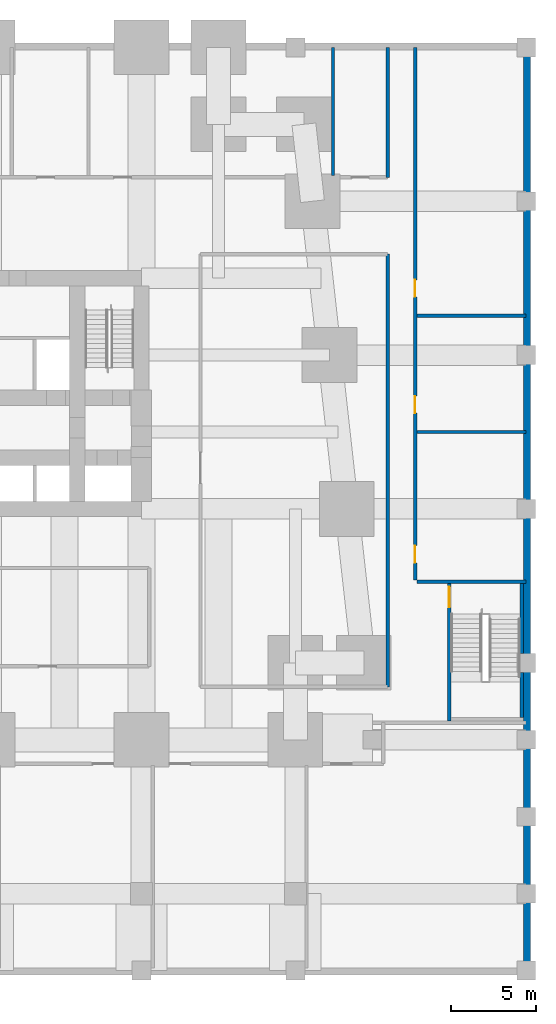
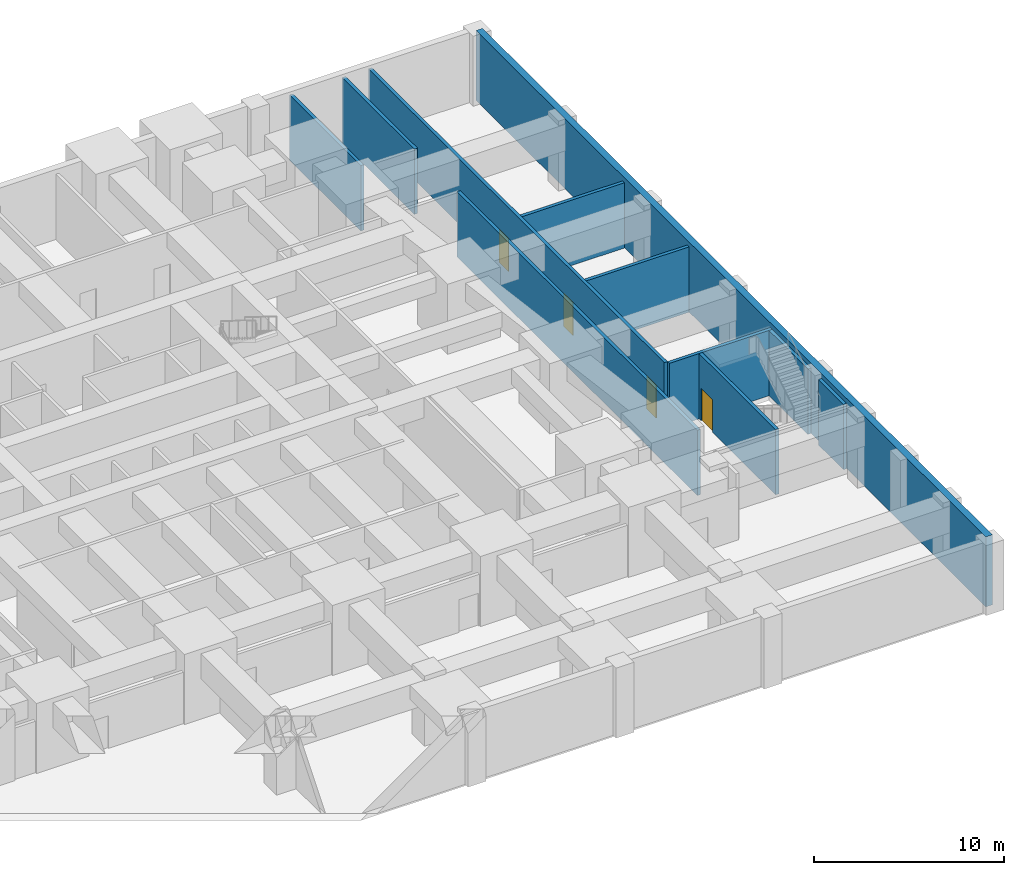
# One storey, part 5 of 8: 11 walls, 4 doors, 4 openings.
"""IFC4 building model written with IfcOpenShell, lengths in metres."""

from ifc_helpers import new_model, si_unit, direction, frame, frame_2d, origin, place, context, subcontext, project, spatial, rectangle, extrude, material, layer, layer_set, type_object, element, fill, save


model = new_model("IFC4")

# Units and contexts
model_context = context("Model", 3, precision=1e-05, world=origin(), true_north=direction((0.0, 1.0)))
body_context = subcontext(model_context, "Body", "Model", "MODEL_VIEW")
ifc_project = project(units=[si_unit("LENGTHUNIT", "METRE"), si_unit("AREAUNIT", "SQUARE_METRE"), si_unit("VOLUMEUNIT", "CUBIC_METRE"), si_unit("PLANEANGLEUNIT", "RADIAN"), si_unit("MASSUNIT", "GRAM", prefix="KILO")], contexts=[model_context])

# Site, building, storey
site_placement = place(None, origin())
site = spatial("IfcSite", under=ifc_project, at=site_placement, CompositionType="ELEMENT")
building_placement = place(site_placement, origin())
building = spatial("IfcBuilding", under=site, at=building_placement, Name="Kilele Tower Hotel", CompositionType="ELEMENT")
storey_placement = place(building_placement, frame((0.0, 0.0, -4.5)))
storey = spatial("IfcBuildingStorey", under=building, at=storey_placement, Name="B1", CompositionType="ELEMENT", Elevation=-4.5)

# Walls
ifc_material_1 = material(Name="Concrete C70/85", Category="concrete")
ifc_layer_1 = layer(ifc_material_1, 0.39990234375)
ifc_layer_set_1 = layer_set([ifc_layer_1], Name="Concrete C70/85")
wall_type_1 = type_object("IfcWallType", Name="Basement retaining wall 400", PredefinedType="SOLIDWALL", material=ifc_layer_set_1)
wall_1_placement = place(storey_placement, frame((58.550048828125, -13.35009765625, 0.0), z_axis=(0.0, 0.0, 1.0), x_axis=(0.0, 1.0, 0.0)))
element("IfcWall", 1, at=wall_1_placement, inside=storey, type_object=wall_type_1, Name="Retaining wall B1 E", PredefinedType="SOLIDWALL", context=body_context, shape_type="SweptSolid", body=[
    extrude(rectangle(XDim=53.7001953125, YDim=0.39990234375, at=frame_2d((26.85009765625, 0.0))), origin(), (0.0, 0.0, 1.0), 4.5),
])
ifc_material_2 = material(Name="Blockwork, plastered both sides", Category="masonry")
ifc_layer_2 = layer(ifc_material_2, 0.199951171875)
ifc_layer_set_2 = layer_set([ifc_layer_2], Name="Blockwork, plastered both sides")
wall_type_2 = type_object("IfcWallType", Name="Partition wall 200", PredefinedType="PARTITIONING", material=ifc_layer_set_2)
wall_2_placement = place(storey_placement, frame((47.199951171875, 33.0, 0.0), z_axis=(0.0, 0.0, 1.0), x_axis=(0.0, 1.0, 0.0)))
element("IfcWall", 2, at=wall_2_placement, inside=storey, type_object=wall_type_2, Name="Partition wall 200 B1", PredefinedType="PARTITIONING", context=body_context, shape_type="SweptSolid", body=[
    extrude(rectangle(XDim=7.5, YDim=0.199951171875, at=frame_2d((3.75, 0.0))), origin(), (0.0, 0.0, 1.0), 4.199951171875),
])

# Wall, openings, doors
wall_3_placement = place(storey_placement, frame((52.0, 9.35009765625, 0.0), z_axis=(0.0, 0.0, 1.0), x_axis=(0.0, 1.0, 0.0)))
wall_3 = element("IfcWall", 3, at=wall_3_placement, inside=storey, type_object=wall_type_2, Name="Partition wall 200 B1", PredefinedType="PARTITIONING", context=body_context, shape_type="SweptSolid", body=[
    extrude(rectangle(XDim=31.14990234375, YDim=0.199951171875, at=frame_2d((15.574951171875, 0.0))), origin(), (0.0, 0.0, 1.0), 4.199951171875),
])
opening_1_placement = place(wall_3_placement, frame((2.0, 0.0, 0.0), z_axis=(0.0, 0.0, 1.0), x_axis=(-1.0, 0.0, 0.0)))
opening_1 = element("IfcOpeningElement", 4, at=opening_1_placement, cuts=wall_3, Name="Opening D7", PredefinedType="OPENING", context=body_context, shape_type="SweptSolid", body=[
    extrude(rectangle(XDim=1.0, YDim=2.10009765625, at=frame_2d((0.5, 1.050048828125))), frame((0.0, 0.10986328125, 0.0), z_axis=(0.0, -1.0, 0.0), x_axis=(1.0, 0.0, 0.0)), (0.0, 0.0, 1.0), 0.219970703125),
])
opening_2_placement = place(wall_3_placement, frame((10.75, 0.0, 0.0), z_axis=(0.0, 0.0, 1.0), x_axis=(-1.0, 0.0, 0.0)))
opening_2 = element("IfcOpeningElement", 5, at=opening_2_placement, cuts=wall_3, Name="Opening D7", PredefinedType="OPENING", context=body_context, shape_type="SweptSolid", body=[
    extrude(rectangle(XDim=1.0, YDim=2.10009765625, at=frame_2d((0.5, 1.050048828125))), frame((0.0, 0.10986328125, 0.0), z_axis=(0.0, -1.0, 0.0), x_axis=(1.0, 0.0, 0.0)), (0.0, 0.0, 1.0), 0.219970703125),
])
opening_3_placement = place(wall_3_placement, frame((17.550048828125, 0.0, 0.0), z_axis=(0.0, 0.0, 1.0), x_axis=(-1.0, 0.0, 0.0)))
opening_3 = element("IfcOpeningElement", 6, at=opening_3_placement, cuts=wall_3, Name="Opening D7", PredefinedType="OPENING", context=body_context, shape_type="SweptSolid", body=[
    extrude(rectangle(XDim=1.0, YDim=2.10009765625, at=frame_2d((0.5, 1.050048828125))), frame((0.0, 0.10986328125, 0.0), z_axis=(0.0, -1.0, 0.0), x_axis=(1.0, 0.0, 0.0)), (0.0, 0.0, 1.0), 0.219970703125),
])
ifc_material_3 = material(Name="Timber door leaf in hardwood frame", Category="wood")
door_type_1 = type_object("IfcDoorType", Name="Plant room door 1000", OperationType="SINGLE_SWING_LEFT", PredefinedType="DOOR", material=ifc_material_3)
door_1_placement = place(opening_1_placement, origin())
door_1 = element("IfcDoor", 7, at=door_1_placement, inside=storey, type_object=door_type_1, Name="Door Electrical substation", OperationType="SINGLE_SWING_RIGHT", OverallHeight=2.10009765625, OverallWidth=1.0, PredefinedType="DOOR", context=body_context, shape_type="SweptSolid", body=[
    extrude(rectangle(XDim=1.0, YDim=2.10009765625, at=frame_2d((0.5, 1.050048828125))), frame((0.0, 0.02490234375, 0.0), z_axis=(0.0, -1.0, 0.0), x_axis=(1.0, 0.0, 0.0)), (0.0, 0.0, 1.0), 0.050048828125),
])
fill(opening_1, door_1)
door_2_placement = place(opening_2_placement, origin())
door_2 = element("IfcDoor", 8, at=door_2_placement, inside=storey, type_object=door_type_1, Name="Door Kitchen store", OperationType="SINGLE_SWING_RIGHT", OverallHeight=2.10009765625, OverallWidth=1.0, PredefinedType="DOOR", context=body_context, shape_type="SweptSolid", body=[
    extrude(rectangle(XDim=1.0, YDim=2.10009765625, at=frame_2d((0.5, 1.050048828125))), frame((0.0, 0.02490234375, 0.0), z_axis=(0.0, -1.0, 0.0), x_axis=(1.0, 0.0, 0.0)), (0.0, 0.0, 1.0), 0.050048828125),
])
fill(opening_2, door_2)
door_3_placement = place(opening_3_placement, origin())
door_3 = element("IfcDoor", 9, at=door_3_placement, inside=storey, type_object=door_type_1, Name="Door Housekeeping store", OperationType="SINGLE_SWING_RIGHT", OverallHeight=2.10009765625, OverallWidth=1.0, PredefinedType="DOOR", context=body_context, shape_type="SweptSolid", body=[
    extrude(rectangle(XDim=1.0, YDim=2.10009765625, at=frame_2d((0.5, 1.050048828125))), frame((0.0, 0.02490234375, 0.0), z_axis=(0.0, -1.0, 0.0), x_axis=(1.0, 0.0, 0.0)), (0.0, 0.0, 1.0), 0.050048828125),
])
fill(opening_3, door_3)

# Walls
for number, where, z_axis, x_axis, name in (
    (10, (52.10009765625, 18.0, 0.0), (0.0, 0.0, 1.0), (1.0, 0.0, 0.0), "Partition wall 200 B1"),
    (11, (52.10009765625, 24.800048828125, 0.0), (0.0, 0.0, 1.0), (1.0, 0.0, 0.0), "Partition wall 200 B1"),
):
    element("IfcWall", number, at=place(storey_placement, frame(where, z_axis=z_axis, x_axis=x_axis)), inside=storey, type_object=wall_type_2, Name=name, PredefinedType="PARTITIONING", context=body_context, shape_type="SweptSolid", body=[
        extrude(rectangle(XDim=6.39990234375, YDim=0.199951171875, at=frame_2d((3.199951171875, 0.0))), origin(), (0.0, 0.0, 1.0), 4.199951171875),
    ])
wall_4_placement = place(storey_placement, frame((50.39990234375, 3.10009765625, 0.0), z_axis=(0.0, 0.0, 1.0), x_axis=(0.0, 1.0, 0.0)))
element("IfcWall", 12, at=wall_4_placement, inside=storey, type_object=wall_type_2, Name="Partition wall 200 B1", PredefinedType="PARTITIONING", context=body_context, shape_type="SweptSolid", body=[
    extrude(rectangle(XDim=25.2998046875, YDim=0.199951171875, at=frame_2d((12.64990234375, 0.0))), origin(), (0.0, 0.0, 1.0), 4.199951171875),
])
wall_5_placement = place(storey_placement, frame((50.39990234375, 32.89990234375, 0.0), z_axis=(0.0, 0.0, 1.0), x_axis=(0.0, 1.0, 0.0)))
element("IfcWall", 13, at=wall_5_placement, inside=storey, type_object=wall_type_2, Name="Partition wall 200 B1", PredefinedType="PARTITIONING", context=body_context, shape_type="SweptSolid", body=[
    extrude(rectangle(XDim=7.60009765625, YDim=0.199951171875, at=frame_2d((3.800048828125, 0.0))), origin(), (0.0, 0.0, 1.0), 4.199951171875),
])

# Wall, opening, door
ifc_material_4 = material(Name="Concrete C40/50", Category="concrete")
ifc_layer_3 = layer(ifc_material_4, 0.199951171875)
ifc_layer_set_3 = layer_set([ifc_layer_3], Name="Concrete C40/50")
wall_type_3 = type_object("IfcWallType", Name="Stair wall RC 200 C40/50", PredefinedType="SOLIDWALL", material=ifc_layer_set_3)
wall_6_placement = place(storey_placement, frame((54.0, 1.10009765625, 0.0), z_axis=(0.0, 0.0, 1.0), x_axis=(0.0, 1.0, 0.0)))
wall_6 = element("IfcWall", 14, at=wall_6_placement, inside=storey, type_object=wall_type_3, Name="Stair wall RC 200 C40/50 B1", PredefinedType="SOLIDWALL", context=body_context, shape_type="SweptSolid", body=[
    extrude(rectangle(XDim=8.0498046875, YDim=0.199951171875, at=frame_2d((4.02490234375, 0.0))), origin(), (0.0, 0.0, 1.0), 4.199951171875),
])
opening_4_placement = place(wall_6_placement, frame((7.849853515625, 0.0, 0.0), z_axis=(0.0, 0.0, 1.0), x_axis=(-1.0, 0.0, 0.0)))
opening_4 = element("IfcOpeningElement", 15, at=opening_4_placement, cuts=wall_6, Name="Opening D5A", PredefinedType="OPENING", context=body_context, shape_type="SweptSolid", body=[
    extrude(rectangle(XDim=1.199951171875, YDim=2.10009765625, at=frame_2d((0.60009765625, 1.050048828125))), frame((0.0, 0.10986328125, 0.0), z_axis=(0.0, -1.0, 0.0), x_axis=(1.0, 0.0, 0.0)), (0.0, 0.0, 1.0), 0.219970703125),
])
ifc_material_5 = material(Name="Timber door leaf in hardwood frame", Category="wood")
door_type_2 = type_object("IfcDoorType", Name="Stair door 1200", OperationType="SINGLE_SWING_LEFT", PredefinedType="DOOR", material=ifc_material_5)
door_4_placement = place(opening_4_placement, origin())
door_4 = element("IfcDoor", 16, at=door_4_placement, inside=storey, type_object=door_type_2, Name="Stair 5 door", OperationType="SINGLE_SWING_LEFT", OverallHeight=2.10009765625, OverallWidth=1.199951171875, PredefinedType="DOOR", context=body_context, shape_type="SweptSolid", body=[
    extrude(rectangle(XDim=1.199951171875, YDim=2.10009765625, at=frame_2d((0.60009765625, 1.050048828125))), frame((0.0, 0.02490234375, 0.0), z_axis=(0.0, -1.0, 0.0), x_axis=(1.0, 0.0, 0.0)), (0.0, 0.0, 1.0), 0.050048828125),
])
fill(opening_4, door_4)

# Walls
wall_7_placement = place(storey_placement, frame((52.10009765625, 9.25, 0.0), z_axis=(0.0, 0.0, 1.0), x_axis=(1.0, 0.0, 0.0)))
element("IfcWall", 17, at=wall_7_placement, inside=storey, type_object=wall_type_3, Name="Stair wall RC 200 C40/50 B1", PredefinedType="SOLIDWALL", context=body_context, shape_type="SweptSolid", body=[
    extrude(rectangle(XDim=6.39990234375, YDim=0.199951171875, at=frame_2d((3.199951171875, 0.0))), origin(), (0.0, 0.0, 1.0), 4.199951171875),
])
wall_8_placement = place(storey_placement, frame((58.25, 1.300048828125, 0.0), z_axis=(0.0, 0.0, 1.0), x_axis=(0.0, 1.0, 0.0)))
element("IfcWall", 18, at=wall_8_placement, inside=storey, type_object=wall_type_3, Name="Stair wall RC 200 C40/50 B1", PredefinedType="SOLIDWALL", context=body_context, shape_type="SweptSolid", body=[
    extrude(rectangle(XDim=2.64990234375, YDim=0.199951171875, at=frame_2d((1.324951171875, 0.0))), origin(), (0.0, 0.0, 1.0), 4.199951171875),
])
wall_9_placement = place(storey_placement, frame((58.25, 5.050048828125, 0.0), z_axis=(0.0, 0.0, 1.0), x_axis=(0.0, 1.0, 0.0)))
element("IfcWall", 19, at=wall_9_placement, inside=storey, type_object=wall_type_3, Name="Stair wall RC 200 C40/50 B1", PredefinedType="SOLIDWALL", context=body_context, shape_type="SweptSolid", body=[
    extrude(rectangle(XDim=4.099853515625, YDim=0.199951171875, at=frame_2d((2.0498046875, 0.0))), origin(), (0.0, 0.0, 1.0), 4.199951171875),
])

save(model, "model.ifc")
